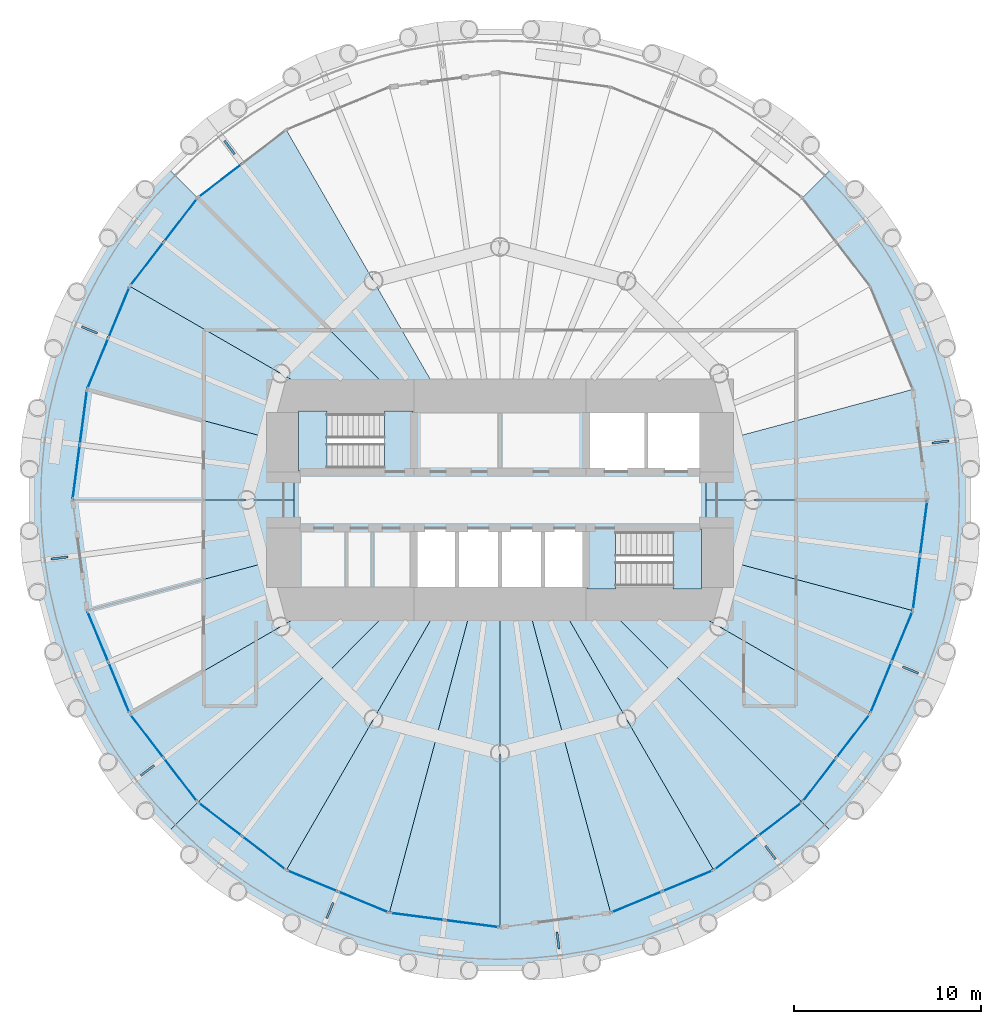
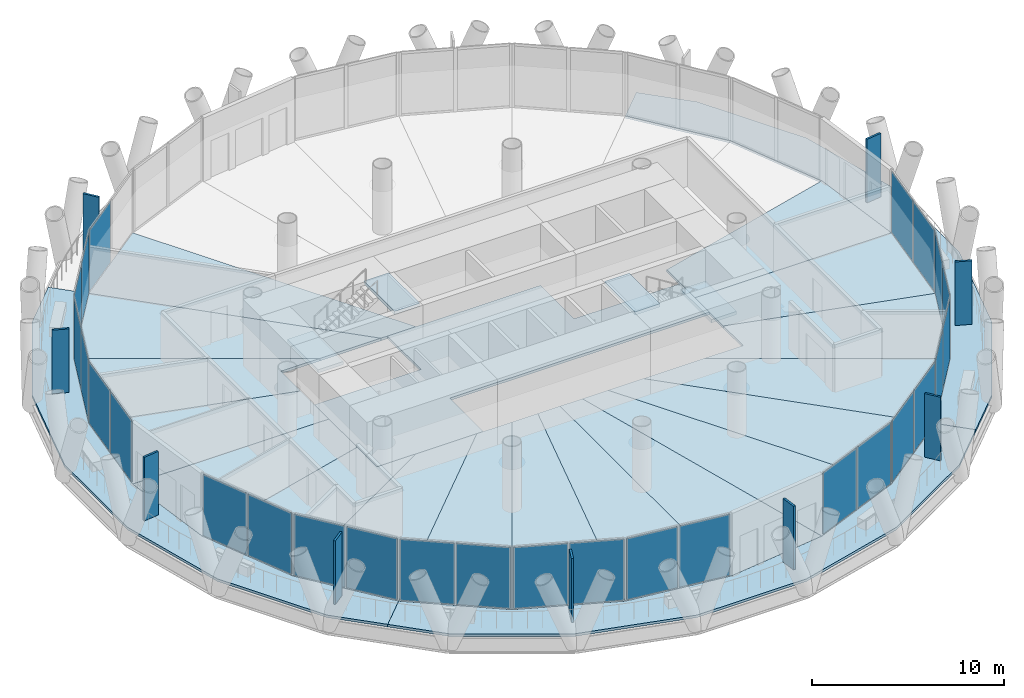
# One storey, part 7 of 14: 36 plates, 25 slabs, 16 elements without a shape of their own.
"""IFC4 building model written with IfcOpenShell, lengths in metres."""

import ifcopenshell
import ifcopenshell.guid

model = None  # the IFC model being written
_history = None  # IfcOwnerHistory: only IFC2X3 demands one
_inside = {}  # id of a spatial element -> (the spatial element, [elements in it])
_under = {}  # id of a project, library or spatial element -> (it, [spatial elements below it])
_declared = {}  # id of a project -> (the project, [libraries it declares])
_typed = {}  # id of a type object -> (the type object, [elements of that type])
_made_of = {}  # id of a material, layer set ... -> (it, [elements and type objects made of it])


def new_model(schema):
    """Start an empty IFC model of exactly this schema.

    Asked for "IFC4X3", IfcOpenShell would pick the latest addendum, in which some entities
    have other attributes; the version numbers below select the first issue.
    IFC2X3 requires an IfcOwnerHistory on every rooted entity: one is made here for all.
    """
    global model, _history
    if schema == "IFC4X3":
        model = ifcopenshell.file(schema_version=(4, 3, 0, 0))
    else:
        model = ifcopenshell.file(schema=schema)
    _inside.clear()
    _under.clear()
    _declared.clear()
    _typed.clear()
    _made_of.clear()
    _history = None
    if model.schema == "IFC2X3":
        org = make("IfcOrganization", Name="unknown")
        user = make(
            "IfcPersonAndOrganization",
            ThePerson=make("IfcPerson", FamilyName="unknown"),
            TheOrganization=org,
        )
        app = make(
            "IfcApplication",
            ApplicationDeveloper=org,
            Version="unknown",
            ApplicationFullName="unknown",
            ApplicationIdentifier="unknown",
        )
        _history = make(
            "IfcOwnerHistory",
            OwningUser=user,
            OwningApplication=app,
            ChangeAction="ADDED",
            CreationDate=0,
        )
    return model


def make(cls, **values):
    """One entity of the class cls with the attributes given. An attribute that is None is left unset."""
    return model.create_entity(
        cls, **{name: value for name, value in values.items() if value is not None}
    )


def rooted(cls, **values):
    """An entity with a GlobalId (a new one), such as an element, a storey or a relation."""
    return make(cls, GlobalId=ifcopenshell.guid.new(), OwnerHistory=_history, **values)


def si_unit(unit_type, name, prefix=None):
    """IfcSIUnit, for example si_unit("LENGTHUNIT", "METRE", prefix="MILLI")."""
    return make("IfcSIUnit", UnitType=unit_type, Prefix=prefix, Name=name)


def assignment(units):
    """IfcUnitAssignment: the units of a project."""
    return None if units is None else make("IfcUnitAssignment", Units=units)


def point(xyz):
    """IfcCartesianPoint."""
    return None if xyz is None else make("IfcCartesianPoint", Coordinates=xyz)


def direction(xyz):
    """IfcDirection."""
    return None if xyz is None else make("IfcDirection", DirectionRatios=xyz)


def frame(location, z_axis=None, x_axis=None):
    """IfcAxis2Placement3D, a coordinate frame: its origin and axes. An axis left out is left unset."""
    return make(
        "IfcAxis2Placement3D",
        Location=point(location),
        Axis=direction(z_axis),
        RefDirection=direction(x_axis),
    )


def frame_2d(location, x_axis=None):
    """IfcAxis2Placement2D, a coordinate frame in the plane: its origin and x axis."""
    return make(
        "IfcAxis2Placement2D", Location=point(location), RefDirection=direction(x_axis)
    )


def origin():
    """The frame at (0, 0, 0) with its axes left unset."""
    return frame((0.0, 0.0, 0.0))


def origin_2d():
    """The frame at (0, 0) in the plane with its x axis left unset."""
    return frame_2d((0.0, 0.0))


def place(relative_to, where):
    """IfcLocalPlacement: puts the frame where relative to a parent placement (None: the world)."""
    return make(
        "IfcLocalPlacement", PlacementRelTo=relative_to, RelativePlacement=where
    )


def context(
    kind, dimensions, precision=None, world=None, true_north=None, identifier=None
):
    """IfcGeometricRepresentationContext, for example the 3D "Model" context."""
    return make(
        "IfcGeometricRepresentationContext",
        ContextIdentifier=identifier,
        ContextType=kind,
        CoordinateSpaceDimension=dimensions,
        Precision=precision,
        WorldCoordinateSystem=world,
        TrueNorth=true_north,
    )


def subcontext(parent, identifier, kind, view, scale=None):
    """IfcGeometricRepresentationSubContext, for example "Body" below "Model"."""
    return make(
        "IfcGeometricRepresentationSubContext",
        ContextIdentifier=identifier,
        ContextType=kind,
        ParentContext=parent,
        TargetScale=scale,
        TargetView=view,
    )


def project(units=None, contexts=None):
    """IfcProject with its units and contexts."""
    return rooted(
        "IfcProject",
        Name="project",
        RepresentationContexts=contexts,
        UnitsInContext=assignment(units),
    )


def spatial(cls, under=None, at=None, **own):
    """A site, building, storey or space (cls), placed at a placement, below another one or the project."""
    s = rooted(cls, ObjectPlacement=at, **own)
    if under is not None:
        _under.setdefault(under.id(), (under, []))[1].append(s)
    return s


def polyline(points):
    """IfcPolyline through the points."""
    return make("IfcPolyline", Points=[point(p) for p in points])


def profile(cls, at=None, kind="AREA", **sizes):
    """A parametric profile (cls). Its sizes go by their IFC names, for example OverallWidth=200.0."""
    return make(cls, ProfileType=kind, Position=at, **sizes)


def rectangle(**sizes):
    """IfcRectangleProfileDef."""
    return profile("IfcRectangleProfileDef", **sizes)


def outline(outer, holes=None, kind="AREA"):
    """IfcArbitraryClosedProfileDef: a profile drawn as a closed curve; with holes, ...WithVoids."""
    if holes is None:
        return make("IfcArbitraryClosedProfileDef", ProfileType=kind, OuterCurve=outer)
    return make(
        "IfcArbitraryProfileDefWithVoids",
        ProfileType=kind,
        OuterCurve=outer,
        InnerCurves=holes,
    )


def extrude(swept, where, along, depth):
    """IfcExtrudedAreaSolid: the profile swept, set in the frame where, extruded along a direction by depth."""
    return make(
        "IfcExtrudedAreaSolid",
        SweptArea=swept,
        Position=where,
        ExtrudedDirection=direction(along),
        Depth=depth,
    )


def shape(context_of_items, identifier, shape_type, items):
    """IfcShapeRepresentation: the items that make up one representation, for example the "Body"."""
    return make(
        "IfcShapeRepresentation",
        ContextOfItems=context_of_items,
        RepresentationIdentifier=identifier,
        RepresentationType=shape_type,
        Items=items,
    )


def material(Name=None, Category=None):
    """IfcMaterial."""
    return make("IfcMaterial", Name=Name, Category=Category)


def layer(
    of_material, thickness, ventilated=None, Name=None, Category=None, Priority=None
):
    """IfcMaterialLayer: one layer of a wall or slab, of a material (None: an air gap)."""
    return make(
        "IfcMaterialLayer",
        Material=of_material,
        LayerThickness=thickness,
        IsVentilated=ventilated,
        Name=Name,
        Category=Category,
        Priority=Priority,
    )


def layer_set(layers, Name=None):
    """IfcMaterialLayerSet."""
    return make("IfcMaterialLayerSet", MaterialLayers=layers, LayerSetName=Name)


def made_of(thing, what):
    """Note that an element or type object is made of a material, layer set ...; save() writes the relation."""
    if what is not None:
        _made_of.setdefault(what.id(), (what, []))[1].append(thing)
    return thing


def type_object(cls, material=None, **own):
    """A type object (cls), such as IfcWallType, which elements share."""
    return made_of(rooted(cls, **own), material)


def element(
    cls,
    number,
    at=None,
    inside=None,
    cuts=None,
    type_object=None,
    material=None,
    context=None,
    identifier="Body",
    shape_type=None,
    held_by="IfcProductDefinitionShape",
    body=None,
    shapes=None,
    **own,
):
    """One element of the class cls, such as IfcWall. Its Tag is "e" and its number.

    at: its placement. inside: the storey or other place that contains it. cuts: it is an
    opening in that element (IfcRelVoidsElement). A single representation is given by context,
    identifier, shape_type and body (its items); several are given by shapes. held_by: the class
    of the entity that holds the representations. save() writes the other relations.
    """
    e = rooted(cls, Tag="e%d" % number, ObjectPlacement=at, **own)
    if body is not None:
        shapes = [shape(context, identifier, shape_type, body)]
    if shapes is not None:
        e.Representation = make(held_by, Representations=shapes)
    if inside is not None:
        _inside.setdefault(inside.id(), (inside, []))[1].append(e)
    if cuts is not None:
        rooted(
            "IfcRelVoidsElement", RelatingBuildingElement=cuts, RelatedOpeningElement=e
        )
    if type_object is not None:
        _typed.setdefault(type_object.id(), (type_object, []))[1].append(e)
    return made_of(e, material)


def aggregate(whole, parts):
    """IfcRelAggregates: a whole, such as a stair, and the parts it consists of."""
    return rooted("IfcRelAggregates", RelatingObject=whole, RelatedObjects=parts)


def save(model, path):
    """Write the relations noted so far, then the file.

    IfcRelAggregates (storeys below a building ...), IfcRelContainedInSpatialStructure (elements
    in a storey), IfcRelDefinesByType, IfcRelAssociatesMaterial and IfcRelDeclares: one each for
    every whole, place, type object, material and project.
    """
    for whole, parts in _under.values():
        aggregate(whole, parts)
    for where, things in _inside.values():
        rooted(
            "IfcRelContainedInSpatialStructure",
            RelatedElements=things,
            RelatingStructure=where,
        )
    for kind, things in _typed.values():
        rooted("IfcRelDefinesByType", RelatedObjects=things, RelatingType=kind)
    for what, things in _made_of.values():
        rooted("IfcRelAssociatesMaterial", RelatedObjects=things, RelatingMaterial=what)
    for by, libraries in _declared.values():
        rooted("IfcRelDeclares", RelatingContext=by, RelatedDefinitions=libraries)
    model.write(path)


model = new_model("IFC4")

# Units and contexts
model_context = context("Model", 3, precision=1e-05, world=origin(), true_north=direction((0.0, 1.0)))
body_context = subcontext(model_context, "Body", "Model", "MODEL_VIEW")
ifc_project = project(units=[si_unit("LENGTHUNIT", "METRE"), si_unit("AREAUNIT", "SQUARE_METRE"), si_unit("VOLUMEUNIT", "CUBIC_METRE"), si_unit("PLANEANGLEUNIT", "RADIAN"), si_unit("MASSUNIT", "GRAM", prefix="KILO")], contexts=[model_context])

# Site, building, storey
site_placement = place(None, origin())
site = spatial("IfcSite", under=ifc_project, at=site_placement, CompositionType="ELEMENT")
building_placement = place(site_placement, origin())
building = spatial("IfcBuilding", under=site, at=building_placement, Name="Qaws Media Tower", CompositionType="ELEMENT")
storey_placement = place(building_placement, frame((0.0, 0.0, 118.39990234375)))
storey = spatial("IfcBuildingStorey", under=building, at=storey_placement, Name="L26", CompositionType="ELEMENT", Elevation=118.39990234375)

# Slabs
ifc_material_1 = material(Name="Concrete C35/45", Category="concrete")
ifc_layer_1 = layer(ifc_material_1, 0.159912109375)
ifc_layer_set_1 = layer_set([ifc_layer_1], Name="Composite balcony slab 160")
slab_type_1 = type_object("IfcSlabType", Name="Composite balcony slab 160", PredefinedType="FLOOR", material=ifc_layer_set_1)
slab_1_placement = place(storey_placement, frame((0.0, 0.0, -0.159912109375)))
element("IfcSlab", 1, at=slab_1_placement, inside=storey, type_object=slab_type_1, Name="S2 balcony slab L26 R10 to R16, movement joints on R10 and R16", PredefinedType="FLOOR", context=body_context, shape_type="SweptSolid", body=[
    extrude(outline(polyline([(40.007568359375, 34.6591796875), (36.71826171875, 40.3564453125), (35.015625, 46.710693359375), (35.015625, 53.289306640625), (36.71826171875, 59.6435546875), (40.007568359375, 65.3408203125), (42.33349609375, 67.66650390625), (43.8779296875, 66.1220703125), (40.254638671875, 61.39990234375), (37.976806640625, 55.901123046875), (37.199951171875, 50.0), (37.976806640625, 44.098876953125), (40.254638671875, 38.60009765625), (43.8779296875, 33.8779296875), (42.33349609375, 32.33349609375), (40.007568359375, 34.6591796875)])), origin(), (0.0, 0.0, 1.0), 0.159912109375),
])
slab_2_placement = place(storey_placement, frame((0.0, 0.0, -0.159912109375)))
element("IfcSlab", 2, at=slab_2_placement, inside=storey, type_object=slab_type_1, Name="S2 balcony slab L26 R16 to R22, movement joints on R16 and R22", PredefinedType="FLOOR", context=body_context, shape_type="SweptSolid", body=[
    extrude(outline(polyline([(75.3408203125, 30.007568359375), (69.6435546875, 26.71826171875), (63.289306640625, 25.015625), (56.710693359375, 25.015625), (50.3564453125, 26.71826171875), (44.6591796875, 30.007568359375), (42.33349609375, 32.33349609375), (43.8779296875, 33.8779296875), (48.60009765625, 30.254638671875), (54.098876953125, 27.976806640625), (60.0, 27.199951171875), (65.901123046875, 27.976806640625), (71.39990234375, 30.254638671875), (76.1220703125, 33.8779296875), (77.66650390625, 32.33349609375), (75.3408203125, 30.007568359375)])), origin(), (0.0, 0.0, 1.0), 0.159912109375),
])
slab_3_placement = place(storey_placement, frame((0.0, 0.0, -0.159912109375)))
element("IfcSlab", 3, at=slab_3_placement, inside=storey, type_object=slab_type_1, Name="S2 balcony slab L26 R22 to R04, movement joints on R22 and R04", PredefinedType="FLOOR", context=body_context, shape_type="SweptSolid", body=[
    extrude(outline(polyline([(83.28173828125, 40.3564453125), (79.992431640625, 34.6591796875), (77.66650390625, 32.33349609375), (76.1220703125, 33.8779296875), (79.745361328125, 38.60009765625), (82.023193359375, 44.098876953125), (82.800048828125, 50.0), (82.023193359375, 55.901123046875), (79.745361328125, 61.39990234375), (76.1220703125, 66.1220703125), (77.66650390625, 67.66650390625), (79.992431640625, 65.3408203125), (83.28173828125, 59.6435546875), (84.984375, 53.289306640625), (84.984375, 46.710693359375), (83.28173828125, 40.3564453125)])), origin(), (0.0, 0.0, 1.0), 0.159912109375),
])
ifc_material_2 = material(Name="Concrete C35/45", Category="concrete")
ifc_layer_2 = layer(ifc_material_2, 0.159912109375)
ifc_layer_set_2 = layer_set([ifc_layer_2], Name="Composite floor slab 160")
slab_type_2 = type_object("IfcSlabType", Name="Composite floor slab 160", PredefinedType="FLOOR", material=ifc_layer_set_2)
slab_4_placement = place(storey_placement, frame((0.0, 0.0, -0.159912109375)))
element("IfcSlab", 4, at=slab_4_placement, inside=storey, type_object=slab_type_2, Name="S1 core floor slab L26", PredefinedType="FLOOR", context=body_context, shape_type="SweptSolid", body=[
    extrude(outline(polyline([(71.0, 51.5), (71.0, 48.5), (55.39990234375, 48.5), (55.39990234375, 45.0), (49.0, 45.0), (49.0, 51.5), (55.39990234375, 51.5), (55.39990234375, 55.0), (64.60009765625, 55.0), (64.60009765625, 51.5), (71.0, 51.5)])), origin(), (0.0, 0.0, 1.0), 0.159912109375),
])
slab_5_placement = place(storey_placement, frame((0.0, 0.0, -0.159912109375)))
element("IfcSlab", 5, at=slab_5_placement, inside=storey, type_object=slab_type_2, Name="S1 floor panel L26 on R01+7.5", PredefinedType="FLOOR", context=body_context, shape_type="SweptSolid", body=[
    extrude(outline(polyline([(82.023193359375, 55.901123046875), (82.800048828125, 50.0), (71.0, 50.0), (71.0, 52.947509765625), (82.023193359375, 55.901123046875)])), origin(), (0.0, 0.0, 1.0), 0.159912109375),
])
slab_6_placement = place(storey_placement, frame((0.0, 0.0, -0.159912109375)))
element("IfcSlab", 6, at=slab_6_placement, inside=storey, type_object=slab_type_2, Name="S1 floor panel L26 on R09+7.5", PredefinedType="FLOOR", context=body_context, shape_type="SweptSolid", body=[
    extrude(outline(polyline([(43.8779296875, 66.1220703125), (48.60009765625, 69.745361328125), (57.11328125, 55.0), (55.0, 55.0), (43.8779296875, 66.1220703125)])), origin(), (0.0, 0.0, 1.0), 0.159912109375),
])
slab_7_placement = place(storey_placement, frame((0.0, 0.0, -0.159912109375)))
element("IfcSlab", 7, at=slab_7_placement, inside=storey, type_object=slab_type_2, Name="S1 floor panel L26 on R10+7.5", PredefinedType="FLOOR", context=body_context, shape_type="SweptSolid", body=[
    extrude(outline(polyline([(40.254638671875, 61.39990234375), (43.8779296875, 66.1220703125), (55.0, 55.0), (51.339599609375, 55.0), (40.254638671875, 61.39990234375)])), origin(), (0.0, 0.0, 1.0), 0.159912109375),
])
slab_8_placement = place(storey_placement, frame((0.0, 0.0, -0.159912109375)))
element("IfcSlab", 8, at=slab_8_placement, inside=storey, type_object=slab_type_2, Name="S1 floor panel L26 on R11+7.5", PredefinedType="FLOOR", context=body_context, shape_type="SweptSolid", body=[
    extrude(outline(polyline([(40.254638671875, 61.39990234375), (51.339599609375, 55.0), (49.0, 55.0), (49.0, 52.947509765625), (37.976806640625, 55.901123046875), (40.254638671875, 61.39990234375)])), origin(), (0.0, 0.0, 1.0), 0.159912109375),
])
slab_9_placement = place(storey_placement, frame((0.0, 0.0, -0.159912109375)))
element("IfcSlab", 9, at=slab_9_placement, inside=storey, type_object=slab_type_2, Name="S1 floor panel L26 on R12+7.5", PredefinedType="FLOOR", context=body_context, shape_type="SweptSolid", body=[
    extrude(outline(polyline([(37.976806640625, 55.901123046875), (49.0, 52.947509765625), (49.0, 50.0), (37.199951171875, 50.0), (37.976806640625, 55.901123046875)])), origin(), (0.0, 0.0, 1.0), 0.159912109375),
])
slab_10_placement = place(storey_placement, frame((0.0, 0.0, -0.159912109375)))
element("IfcSlab", 10, at=slab_10_placement, inside=storey, type_object=slab_type_2, Name="S1 floor panel L26 on R13+7.5", PredefinedType="FLOOR", context=body_context, shape_type="SweptSolid", body=[
    extrude(outline(polyline([(37.976806640625, 44.098876953125), (37.199951171875, 50.0), (49.0, 50.0), (49.0, 47.052490234375), (37.976806640625, 44.098876953125)])), origin(), (0.0, 0.0, 1.0), 0.159912109375),
])
slab_11_placement = place(storey_placement, frame((0.0, 0.0, -0.159912109375)))
element("IfcSlab", 11, at=slab_11_placement, inside=storey, type_object=slab_type_2, Name="S1 floor panel L26 on R14+7.5", PredefinedType="FLOOR", context=body_context, shape_type="SweptSolid", body=[
    extrude(outline(polyline([(37.976806640625, 44.098876953125), (49.0, 47.052490234375), (49.0, 45.0), (51.339599609375, 45.0), (40.254638671875, 38.60009765625), (37.976806640625, 44.098876953125)])), origin(), (0.0, 0.0, 1.0), 0.159912109375),
])
slab_12_placement = place(storey_placement, frame((0.0, 0.0, -0.159912109375)))
element("IfcSlab", 12, at=slab_12_placement, inside=storey, type_object=slab_type_2, Name="S1 floor panel L26 on R15+7.5", PredefinedType="FLOOR", context=body_context, shape_type="SweptSolid", body=[
    extrude(outline(polyline([(40.254638671875, 38.60009765625), (51.339599609375, 45.0), (55.0, 45.0), (43.8779296875, 33.8779296875), (40.254638671875, 38.60009765625)])), origin(), (0.0, 0.0, 1.0), 0.159912109375),
])
slab_13_placement = place(storey_placement, frame((0.0, 0.0, -0.159912109375)))
element("IfcSlab", 13, at=slab_13_placement, inside=storey, type_object=slab_type_2, Name="S1 floor panel L26 on R16+7.5", PredefinedType="FLOOR", context=body_context, shape_type="SweptSolid", body=[
    extrude(outline(polyline([(48.60009765625, 30.254638671875), (43.8779296875, 33.8779296875), (55.0, 45.0), (57.11328125, 45.0), (48.60009765625, 30.254638671875)])), origin(), (0.0, 0.0, 1.0), 0.159912109375),
])
slab_14_placement = place(storey_placement, frame((0.0, 0.0, -0.159912109375)))
element("IfcSlab", 14, at=slab_14_placement, inside=storey, type_object=slab_type_2, Name="S1 floor panel L26 on R17+7.5", PredefinedType="FLOOR", context=body_context, shape_type="SweptSolid", body=[
    extrude(outline(polyline([(48.60009765625, 30.254638671875), (57.11328125, 45.0), (58.660400390625, 45.0), (54.098876953125, 27.976806640625), (48.60009765625, 30.254638671875)])), origin(), (0.0, 0.0, 1.0), 0.159912109375),
])
slab_15_placement = place(storey_placement, frame((0.0, 0.0, -0.159912109375)))
element("IfcSlab", 15, at=slab_15_placement, inside=storey, type_object=slab_type_2, Name="S1 floor panel L26 on R18+7.5", PredefinedType="FLOOR", context=body_context, shape_type="SweptSolid", body=[
    extrude(outline(polyline([(54.098876953125, 27.976806640625), (58.660400390625, 45.0), (60.0, 45.0), (60.0, 27.199951171875), (54.098876953125, 27.976806640625)])), origin(), (0.0, 0.0, 1.0), 0.159912109375),
])
slab_16_placement = place(storey_placement, frame((0.0, 0.0, -0.159912109375)))
element("IfcSlab", 16, at=slab_16_placement, inside=storey, type_object=slab_type_2, Name="S1 floor panel L26 on R19+7.5", PredefinedType="FLOOR", context=body_context, shape_type="SweptSolid", body=[
    extrude(outline(polyline([(65.901123046875, 27.976806640625), (60.0, 27.199951171875), (60.0, 45.0), (61.339599609375, 45.0), (65.901123046875, 27.976806640625)])), origin(), (0.0, 0.0, 1.0), 0.159912109375),
])
slab_17_placement = place(storey_placement, frame((0.0, 0.0, -0.159912109375)))
element("IfcSlab", 17, at=slab_17_placement, inside=storey, type_object=slab_type_2, Name="S1 floor panel L26 on R20+7.5", PredefinedType="FLOOR", context=body_context, shape_type="SweptSolid", body=[
    extrude(outline(polyline([(65.901123046875, 27.976806640625), (61.339599609375, 45.0), (62.88671875, 45.0), (71.39990234375, 30.254638671875), (65.901123046875, 27.976806640625)])), origin(), (0.0, 0.0, 1.0), 0.159912109375),
])
slab_18_placement = place(storey_placement, frame((0.0, 0.0, -0.159912109375)))
element("IfcSlab", 18, at=slab_18_placement, inside=storey, type_object=slab_type_2, Name="S1 floor panel L26 on R21+7.5", PredefinedType="FLOOR", context=body_context, shape_type="SweptSolid", body=[
    extrude(outline(polyline([(76.1220703125, 33.8779296875), (71.39990234375, 30.254638671875), (62.88671875, 45.0), (65.0, 45.0), (76.1220703125, 33.8779296875)])), origin(), (0.0, 0.0, 1.0), 0.159912109375),
])
slab_19_placement = place(storey_placement, frame((0.0, 0.0, -0.159912109375)))
element("IfcSlab", 19, at=slab_19_placement, inside=storey, type_object=slab_type_2, Name="S1 floor panel L26 on R22+7.5", PredefinedType="FLOOR", context=body_context, shape_type="SweptSolid", body=[
    extrude(outline(polyline([(79.745361328125, 38.60009765625), (76.1220703125, 33.8779296875), (65.0, 45.0), (68.660400390625, 45.0), (79.745361328125, 38.60009765625)])), origin(), (0.0, 0.0, 1.0), 0.159912109375),
])
slab_20_placement = place(storey_placement, frame((0.0, 0.0, -0.159912109375)))
element("IfcSlab", 20, at=slab_20_placement, inside=storey, type_object=slab_type_2, Name="S1 floor panel L26 on R23+7.5", PredefinedType="FLOOR", context=body_context, shape_type="SweptSolid", body=[
    extrude(outline(polyline([(79.745361328125, 38.60009765625), (68.660400390625, 45.0), (71.0, 45.0), (71.0, 47.052490234375), (82.023193359375, 44.098876953125), (79.745361328125, 38.60009765625)])), origin(), (0.0, 0.0, 1.0), 0.159912109375),
])
slab_21_placement = place(storey_placement, frame((0.0, 0.0, -0.159912109375)))
element("IfcSlab", 21, at=slab_21_placement, inside=storey, type_object=slab_type_2, Name="S1 floor panel L26 on R24+7.5", PredefinedType="FLOOR", context=body_context, shape_type="SweptSolid", body=[
    extrude(outline(polyline([(82.023193359375, 44.098876953125), (71.0, 47.052490234375), (71.0, 50.0), (82.800048828125, 50.0), (82.023193359375, 44.098876953125)])), origin(), (0.0, 0.0, 1.0), 0.159912109375),
])

# Curtain wall, plate
ifc_material_3 = material(Name="Aluminium and clear glass", Category="aluminium")
curtain_wall_type = type_object("IfcCurtainWallType", Name="Unitised curtain wall CW-B", PredefinedType="NOTDEFINED", material=ifc_material_3)
curtain_wall_1_placement = place(storey_placement, origin())
curtain_wall_1 = element("IfcCurtainWall", 22, at=curtain_wall_1_placement, inside=storey, type_object=curtain_wall_type, Name="CWB curtain wall L26-09", PredefinedType="NOTDEFINED")
ifc_material_4 = material(Name="Clear laminated double glazing", Category="glass")
ifc_layer_3 = layer(ifc_material_4, 0.031982421875)
ifc_layer_set_3 = layer_set([ifc_layer_3], Name="Curtain wall glass unit 32")
plate_type_1 = type_object("IfcPlateType", Name="Curtain wall glass unit 32", PredefinedType="CURTAIN_PANEL", material=ifc_layer_set_3)
plate_1_placement = place(storey_placement, frame((45.07421875, 67.0400390625, 0.080078125), z_axis=(0.0, 0.0, 1.0), x_axis=(-0.793353412806, -0.608761334505, 0.0)))
plate_1 = element("IfcPlate", 23, at=plate_1_placement, type_object=plate_type_1, Name="CWB panel 2.1", PredefinedType="CURTAIN_PANEL", context=body_context, shape_type="SweptSolid", body=[
    extrude(rectangle(XDim=2.85595703125, YDim=0.031982421875, at=origin_2d()), origin(), (0.0, 0.0, 1.0), 3.8798828125),
])
aggregate(curtain_wall_1, [plate_1])

# Curtain wall, plates
curtain_wall_2_placement = place(storey_placement, origin())
curtain_wall_2 = element("IfcCurtainWall", 24, at=curtain_wall_2_placement, inside=storey, type_object=curtain_wall_type, Name="CWB curtain wall L26-10", PredefinedType="NOTDEFINED")
plate_2_placement = place(storey_placement, frame((42.9599609375, 64.92578125, 0.080078125), z_axis=(0.0, 0.0, 1.0), x_axis=(-0.608761334505, -0.793353412806, 0.0)))
plate_2 = element("IfcPlate", 25, at=plate_2_placement, type_object=plate_type_1, Name="CWB panel 1.1", PredefinedType="CURTAIN_PANEL", context=body_context, shape_type="SweptSolid", body=[
    extrude(rectangle(XDim=2.85595703125, YDim=0.031982421875, at=origin_2d()), origin(), (0.0, 0.0, 1.0), 3.8798828125),
])
plate_3_placement = place(storey_placement, frame((41.172607421875, 62.596435546875, 0.080078125), z_axis=(0.0, 0.0, 1.0), x_axis=(-0.608761334505, -0.793353412806, 0.0)))
plate_3 = element("IfcPlate", 26, at=plate_3_placement, type_object=plate_type_1, Name="CWB panel 2.1", PredefinedType="CURTAIN_PANEL", context=body_context, shape_type="SweptSolid", body=[
    extrude(rectangle(XDim=2.85595703125, YDim=0.031982421875, at=origin_2d()), origin(), (0.0, 0.0, 1.0), 3.8798828125),
])
aggregate(curtain_wall_2, [plate_2, plate_3])

curtain_wall_3_placement = place(storey_placement, origin())
curtain_wall_3 = element("IfcCurtainWall", 27, at=curtain_wall_3_placement, inside=storey, type_object=curtain_wall_type, Name="CWB curtain wall L26-11", PredefinedType="NOTDEFINED")
plate_4_placement = place(storey_placement, frame((39.677490234375, 60.0068359375, 0.080078125), z_axis=(0.0, 0.0, 1.0), x_axis=(-0.382683471419, -0.923879516335, 0.0)))
plate_4 = element("IfcPlate", 28, at=plate_4_placement, type_object=plate_type_1, Name="CWB panel 1.1", PredefinedType="CURTAIN_PANEL", context=body_context, shape_type="SweptSolid", body=[
    extrude(rectangle(XDim=2.85595703125, YDim=0.031982421875, at=origin_2d()), origin(), (0.0, 0.0, 1.0), 3.8798828125),
])
plate_5_placement = place(storey_placement, frame((38.553955078125, 57.294189453125, 0.080078125), z_axis=(0.0, 0.0, 1.0), x_axis=(-0.382683471419, -0.923879516335, 0.0)))
plate_5 = element("IfcPlate", 29, at=plate_5_placement, type_object=plate_type_1, Name="CWB panel 2.1", PredefinedType="CURTAIN_PANEL", context=body_context, shape_type="SweptSolid", body=[
    extrude(rectangle(XDim=2.85595703125, YDim=0.031982421875, at=origin_2d()), origin(), (0.0, 0.0, 1.0), 3.8798828125),
])
aggregate(curtain_wall_3, [plate_4, plate_5])

curtain_wall_4_placement = place(storey_placement, origin())
curtain_wall_4 = element("IfcCurtainWall", 30, at=curtain_wall_4_placement, inside=storey, type_object=curtain_wall_type, Name="CWB curtain wall L26-12", PredefinedType="NOTDEFINED")
plate_6_placement = place(storey_placement, frame((37.780029296875, 54.406005859375, 0.080078125), z_axis=(0.0, 0.0, 1.0), x_axis=(-0.130526170659, -0.991444864212, 0.0)))
plate_6 = element("IfcPlate", 31, at=plate_6_placement, type_object=plate_type_1, Name="CWB panel 1.1", PredefinedType="CURTAIN_PANEL", context=body_context, shape_type="SweptSolid", body=[
    extrude(rectangle(XDim=2.85595703125, YDim=0.031982421875, at=origin_2d()), origin(), (0.0, 0.0, 1.0), 3.8798828125),
])
plate_7_placement = place(storey_placement, frame((37.396728515625, 51.4951171875, 0.080078125), z_axis=(0.0, 0.0, 1.0), x_axis=(-0.130526170659, -0.991444864212, 0.0)))
plate_7 = element("IfcPlate", 32, at=plate_7_placement, type_object=plate_type_1, Name="CWB panel 2.1", PredefinedType="CURTAIN_PANEL", context=body_context, shape_type="SweptSolid", body=[
    extrude(rectangle(XDim=2.85595703125, YDim=0.031982421875, at=origin_2d()), origin(), (0.0, 0.0, 1.0), 3.8798828125),
])
aggregate(curtain_wall_4, [plate_6, plate_7])

curtain_wall_5_placement = place(storey_placement, origin())
curtain_wall_5 = element("IfcCurtainWall", 33, at=curtain_wall_5_placement, inside=storey, type_object=curtain_wall_type, Name="CWB curtain wall L26-14", PredefinedType="NOTDEFINED")
plate_8_placement = place(storey_placement, frame((38.553955078125, 42.705810546875, 0.080078125), z_axis=(0.0, 0.0, 1.0), x_axis=(0.382683471419, -0.923879516335, 0.0)))
plate_8 = element("IfcPlate", 34, at=plate_8_placement, type_object=plate_type_1, Name="CWB panel 1.1", PredefinedType="CURTAIN_PANEL", context=body_context, shape_type="SweptSolid", body=[
    extrude(rectangle(XDim=2.85595703125, YDim=0.031982421875, at=origin_2d()), origin(), (0.0, 0.0, 1.0), 3.8798828125),
])
plate_9_placement = place(storey_placement, frame((39.677490234375, 39.9931640625, 0.080078125), z_axis=(0.0, 0.0, 1.0), x_axis=(0.382683471419, -0.923879516335, 0.0)))
plate_9 = element("IfcPlate", 35, at=plate_9_placement, type_object=plate_type_1, Name="CWB panel 2.1", PredefinedType="CURTAIN_PANEL", context=body_context, shape_type="SweptSolid", body=[
    extrude(rectangle(XDim=2.85595703125, YDim=0.031982421875, at=origin_2d()), origin(), (0.0, 0.0, 1.0), 3.8798828125),
])
aggregate(curtain_wall_5, [plate_8, plate_9])

curtain_wall_6_placement = place(storey_placement, origin())
curtain_wall_6 = element("IfcCurtainWall", 36, at=curtain_wall_6_placement, inside=storey, type_object=curtain_wall_type, Name="CWB curtain wall L26-15", PredefinedType="NOTDEFINED")
plate_10_placement = place(storey_placement, frame((41.172607421875, 37.403564453125, 0.080078125), z_axis=(0.0, 0.0, 1.0), x_axis=(0.608761334505, -0.793353412806, 0.0)))
plate_10 = element("IfcPlate", 37, at=plate_10_placement, type_object=plate_type_1, Name="CWB panel 1.1", PredefinedType="CURTAIN_PANEL", context=body_context, shape_type="SweptSolid", body=[
    extrude(rectangle(XDim=2.85595703125, YDim=0.031982421875, at=origin_2d()), origin(), (0.0, 0.0, 1.0), 3.8798828125),
])
plate_11_placement = place(storey_placement, frame((42.9599609375, 35.07421875, 0.080078125), z_axis=(0.0, 0.0, 1.0), x_axis=(0.608761334505, -0.793353412806, 0.0)))
plate_11 = element("IfcPlate", 38, at=plate_11_placement, type_object=plate_type_1, Name="CWB panel 2.1", PredefinedType="CURTAIN_PANEL", context=body_context, shape_type="SweptSolid", body=[
    extrude(rectangle(XDim=2.85595703125, YDim=0.031982421875, at=origin_2d()), origin(), (0.0, 0.0, 1.0), 3.8798828125),
])
aggregate(curtain_wall_6, [plate_10, plate_11])

curtain_wall_7_placement = place(storey_placement, origin())
curtain_wall_7 = element("IfcCurtainWall", 39, at=curtain_wall_7_placement, inside=storey, type_object=curtain_wall_type, Name="CWB curtain wall L26-16", PredefinedType="NOTDEFINED")
plate_12_placement = place(storey_placement, frame((45.07421875, 32.9599609375, 0.080078125), z_axis=(0.0, 0.0, 1.0), x_axis=(0.793353412806, -0.608761334505, 0.0)))
plate_12 = element("IfcPlate", 40, at=plate_12_placement, type_object=plate_type_1, Name="CWB panel 1.1", PredefinedType="CURTAIN_PANEL", context=body_context, shape_type="SweptSolid", body=[
    extrude(rectangle(XDim=2.85595703125, YDim=0.031982421875, at=origin_2d()), origin(), (0.0, 0.0, 1.0), 3.8798828125),
])
plate_13_placement = place(storey_placement, frame((47.403564453125, 31.172607421875, 0.080078125), z_axis=(0.0, 0.0, 1.0), x_axis=(0.793353412806, -0.608761334505, 0.0)))
plate_13 = element("IfcPlate", 41, at=plate_13_placement, type_object=plate_type_1, Name="CWB panel 2.1", PredefinedType="CURTAIN_PANEL", context=body_context, shape_type="SweptSolid", body=[
    extrude(rectangle(XDim=2.85595703125, YDim=0.031982421875, at=origin_2d()), origin(), (0.0, 0.0, 1.0), 3.8798828125),
])
aggregate(curtain_wall_7, [plate_12, plate_13])

curtain_wall_8_placement = place(storey_placement, origin())
curtain_wall_8 = element("IfcCurtainWall", 42, at=curtain_wall_8_placement, inside=storey, type_object=curtain_wall_type, Name="CWB curtain wall L26-17", PredefinedType="NOTDEFINED")
plate_14_placement = place(storey_placement, frame((49.9931640625, 29.677490234375, 0.080078125), z_axis=(0.0, 0.0, 1.0), x_axis=(0.923879516335, -0.382683471419, 0.0)))
plate_14 = element("IfcPlate", 43, at=plate_14_placement, type_object=plate_type_1, Name="CWB panel 1.1", PredefinedType="CURTAIN_PANEL", context=body_context, shape_type="SweptSolid", body=[
    extrude(rectangle(XDim=2.85595703125, YDim=0.031982421875, at=origin_2d()), origin(), (0.0, 0.0, 1.0), 3.8798828125),
])
plate_15_placement = place(storey_placement, frame((52.705810546875, 28.553955078125, 0.080078125), z_axis=(0.0, 0.0, 1.0), x_axis=(0.923879516335, -0.382683471419, 0.0)))
plate_15 = element("IfcPlate", 44, at=plate_15_placement, type_object=plate_type_1, Name="CWB panel 2.1", PredefinedType="CURTAIN_PANEL", context=body_context, shape_type="SweptSolid", body=[
    extrude(rectangle(XDim=2.85595703125, YDim=0.031982421875, at=origin_2d()), origin(), (0.0, 0.0, 1.0), 3.8798828125),
])
aggregate(curtain_wall_8, [plate_14, plate_15])

curtain_wall_9_placement = place(storey_placement, origin())
curtain_wall_9 = element("IfcCurtainWall", 45, at=curtain_wall_9_placement, inside=storey, type_object=curtain_wall_type, Name="CWB curtain wall L26-18", PredefinedType="NOTDEFINED")
plate_16_placement = place(storey_placement, frame((55.593994140625, 27.780029296875, 0.080078125), z_axis=(0.0, 0.0, 1.0), x_axis=(0.991444864212, -0.130526170659, 0.0)))
plate_16 = element("IfcPlate", 46, at=plate_16_placement, type_object=plate_type_1, Name="CWB panel 1.1", PredefinedType="CURTAIN_PANEL", context=body_context, shape_type="SweptSolid", body=[
    extrude(rectangle(XDim=2.85595703125, YDim=0.031982421875, at=origin_2d()), origin(), (0.0, 0.0, 1.0), 3.8798828125),
])
plate_17_placement = place(storey_placement, frame((58.5048828125, 27.396728515625, 0.080078125), z_axis=(0.0, 0.0, 1.0), x_axis=(0.991444864212, -0.130526170659, 0.0)))
plate_17 = element("IfcPlate", 47, at=plate_17_placement, type_object=plate_type_1, Name="CWB panel 2.1", PredefinedType="CURTAIN_PANEL", context=body_context, shape_type="SweptSolid", body=[
    extrude(rectangle(XDim=2.85595703125, YDim=0.031982421875, at=origin_2d()), origin(), (0.0, 0.0, 1.0), 3.8798828125),
])
aggregate(curtain_wall_9, [plate_16, plate_17])

curtain_wall_10_placement = place(storey_placement, origin())
curtain_wall_10 = element("IfcCurtainWall", 48, at=curtain_wall_10_placement, inside=storey, type_object=curtain_wall_type, Name="CWB curtain wall L26-20", PredefinedType="NOTDEFINED")
plate_18_placement = place(storey_placement, frame((67.294189453125, 28.553955078125, 0.080078125), z_axis=(0.0, 0.0, 1.0), x_axis=(0.923879516335, 0.382683471419, 0.0)))
plate_18 = element("IfcPlate", 49, at=plate_18_placement, type_object=plate_type_1, Name="CWB panel 1.1", PredefinedType="CURTAIN_PANEL", context=body_context, shape_type="SweptSolid", body=[
    extrude(rectangle(XDim=2.85595703125, YDim=0.031982421875, at=origin_2d()), origin(), (0.0, 0.0, 1.0), 3.8798828125),
])
plate_19_placement = place(storey_placement, frame((70.0068359375, 29.677490234375, 0.080078125), z_axis=(0.0, 0.0, 1.0), x_axis=(0.923879516335, 0.382683471419, 0.0)))
plate_19 = element("IfcPlate", 50, at=plate_19_placement, type_object=plate_type_1, Name="CWB panel 2.1", PredefinedType="CURTAIN_PANEL", context=body_context, shape_type="SweptSolid", body=[
    extrude(rectangle(XDim=2.85595703125, YDim=0.031982421875, at=origin_2d()), origin(), (0.0, 0.0, 1.0), 3.8798828125),
])
aggregate(curtain_wall_10, [plate_18, plate_19])

curtain_wall_11_placement = place(storey_placement, origin())
curtain_wall_11 = element("IfcCurtainWall", 51, at=curtain_wall_11_placement, inside=storey, type_object=curtain_wall_type, Name="CWB curtain wall L26-21", PredefinedType="NOTDEFINED")
plate_20_placement = place(storey_placement, frame((72.596435546875, 31.172607421875, 0.080078125), z_axis=(0.0, 0.0, 1.0), x_axis=(0.793353412806, 0.608761334505, 0.0)))
plate_20 = element("IfcPlate", 52, at=plate_20_placement, type_object=plate_type_1, Name="CWB panel 1.1", PredefinedType="CURTAIN_PANEL", context=body_context, shape_type="SweptSolid", body=[
    extrude(rectangle(XDim=2.85595703125, YDim=0.031982421875, at=origin_2d()), origin(), (0.0, 0.0, 1.0), 3.8798828125),
])
plate_21_placement = place(storey_placement, frame((74.92578125, 32.9599609375, 0.080078125), z_axis=(0.0, 0.0, 1.0), x_axis=(0.793353412806, 0.608761334505, 0.0)))
plate_21 = element("IfcPlate", 53, at=plate_21_placement, type_object=plate_type_1, Name="CWB panel 2.1", PredefinedType="CURTAIN_PANEL", context=body_context, shape_type="SweptSolid", body=[
    extrude(rectangle(XDim=2.85595703125, YDim=0.031982421875, at=origin_2d()), origin(), (0.0, 0.0, 1.0), 3.8798828125),
])
aggregate(curtain_wall_11, [plate_20, plate_21])

curtain_wall_12_placement = place(storey_placement, origin())
curtain_wall_12 = element("IfcCurtainWall", 54, at=curtain_wall_12_placement, inside=storey, type_object=curtain_wall_type, Name="CWB curtain wall L26-22", PredefinedType="NOTDEFINED")
plate_22_placement = place(storey_placement, frame((77.0400390625, 35.07421875, 0.080078125), z_axis=(0.0, 0.0, 1.0), x_axis=(0.608761334505, 0.793353412806, 0.0)))
plate_22 = element("IfcPlate", 55, at=plate_22_placement, type_object=plate_type_1, Name="CWB panel 1.1", PredefinedType="CURTAIN_PANEL", context=body_context, shape_type="SweptSolid", body=[
    extrude(rectangle(XDim=2.85595703125, YDim=0.031982421875, at=origin_2d()), origin(), (0.0, 0.0, 1.0), 3.8798828125),
])
plate_23_placement = place(storey_placement, frame((78.827392578125, 37.403564453125, 0.080078125), z_axis=(0.0, 0.0, 1.0), x_axis=(0.608761334505, 0.793353412806, 0.0)))
plate_23 = element("IfcPlate", 56, at=plate_23_placement, type_object=plate_type_1, Name="CWB panel 2.1", PredefinedType="CURTAIN_PANEL", context=body_context, shape_type="SweptSolid", body=[
    extrude(rectangle(XDim=2.85595703125, YDim=0.031982421875, at=origin_2d()), origin(), (0.0, 0.0, 1.0), 3.8798828125),
])
aggregate(curtain_wall_12, [plate_22, plate_23])

curtain_wall_13_placement = place(storey_placement, origin())
curtain_wall_13 = element("IfcCurtainWall", 57, at=curtain_wall_13_placement, inside=storey, type_object=curtain_wall_type, Name="CWB curtain wall L26-23", PredefinedType="NOTDEFINED")
plate_24_placement = place(storey_placement, frame((80.322509765625, 39.9931640625, 0.080078125), z_axis=(0.0, 0.0, 1.0), x_axis=(0.382683471419, 0.923879516335, 0.0)))
plate_24 = element("IfcPlate", 58, at=plate_24_placement, type_object=plate_type_1, Name="CWB panel 1.1", PredefinedType="CURTAIN_PANEL", context=body_context, shape_type="SweptSolid", body=[
    extrude(rectangle(XDim=2.85595703125, YDim=0.031982421875, at=origin_2d()), origin(), (0.0, 0.0, 1.0), 3.8798828125),
])
plate_25_placement = place(storey_placement, frame((81.446044921875, 42.705810546875, 0.080078125), z_axis=(0.0, 0.0, 1.0), x_axis=(0.382683471419, 0.923879516335, 0.0)))
plate_25 = element("IfcPlate", 59, at=plate_25_placement, type_object=plate_type_1, Name="CWB panel 2.1", PredefinedType="CURTAIN_PANEL", context=body_context, shape_type="SweptSolid", body=[
    extrude(rectangle(XDim=2.85595703125, YDim=0.031982421875, at=origin_2d()), origin(), (0.0, 0.0, 1.0), 3.8798828125),
])
aggregate(curtain_wall_13, [plate_24, plate_25])

curtain_wall_14_placement = place(storey_placement, origin())
curtain_wall_14 = element("IfcCurtainWall", 60, at=curtain_wall_14_placement, inside=storey, type_object=curtain_wall_type, Name="CWB curtain wall L26-24", PredefinedType="NOTDEFINED")
plate_26_placement = place(storey_placement, frame((82.219970703125, 45.593994140625, 0.080078125), z_axis=(0.0, 0.0, 1.0), x_axis=(0.130526170659, 0.991444864212, 0.0)))
plate_26 = element("IfcPlate", 61, at=plate_26_placement, type_object=plate_type_1, Name="CWB panel 1.1", PredefinedType="CURTAIN_PANEL", context=body_context, shape_type="SweptSolid", body=[
    extrude(rectangle(XDim=2.85595703125, YDim=0.031982421875, at=origin_2d()), origin(), (0.0, 0.0, 1.0), 3.8798828125),
])
plate_27_placement = place(storey_placement, frame((82.603271484375, 48.5048828125, 0.080078125), z_axis=(0.0, 0.0, 1.0), x_axis=(0.130526170659, 0.991444864212, 0.0)))
plate_27 = element("IfcPlate", 62, at=plate_27_placement, type_object=plate_type_1, Name="CWB panel 2.1", PredefinedType="CURTAIN_PANEL", context=body_context, shape_type="SweptSolid", body=[
    extrude(rectangle(XDim=2.85595703125, YDim=0.031982421875, at=origin_2d()), origin(), (0.0, 0.0, 1.0), 3.8798828125),
])
aggregate(curtain_wall_14, [plate_26, plate_27])

# Plates
ifc_material_5 = material(Name="Precast concrete screen fin", Category="concrete")
ifc_layer_4 = layer(ifc_material_5, 0.1201171875)
ifc_layer_set_4 = layer_set([ifc_layer_4], Name="Screen fin 120x900")
plate_type_2 = type_object("IfcPlateType", Name="Screen fin 120x900", PredefinedType="USERDEFINED", material=ifc_layer_set_4)
for number, where, z_axis, x_axis, name in (
    (63, (83.497314453125, 53.093505859375, 0.0), (0.0, 0.0, 1.0), (0.991444861374, 0.13052619222, 0.0), "SCR1 screen fin L26-01"),
    (64, (45.572265625, 68.802490234375, 0.0), (0.0, 0.0, 1.0), (-0.608761429009, 0.793353340291, 0.0), "SCR1 screen fin L26-05"),
    (65, (38.10400390625, 59.069580078125, 0.0), (0.0, 0.0, 1.0), (-0.923879532511, 0.382683432365, 0.0), "SCR1 screen fin L26-06"),
    (66, (36.502685546875, 46.906494140625, 0.0), (0.0, 0.0, 1.0), (-0.991444861374, -0.13052619222, 0.0), "SCR1 screen fin L26-07"),
    (67, (41.197509765625, 35.572265625, 0.0), (0.0, 0.0, 1.0), (-0.793353340291, -0.608761429009, 0.0), "SCR1 screen fin L26-08"),
    (68, (50.930419921875, 28.10400390625, 0.0), (0.0, 0.0, 1.0), (-0.382683432365, -0.923879532511, 0.0), "SCR1 screen fin L26-09"),
    (69, (63.093505859375, 26.502685546875, 0.0), (0.0, 0.0, 1.0), (0.13052619222, -0.991444861374, 0.0), "SCR1 screen fin L26-10"),
    (70, (74.427734375, 31.197509765625, 0.0), (0.0, 0.0, 1.0), (0.608761429009, -0.793353340291, 0.0), "SCR1 screen fin L26-11"),
    (71, (81.89599609375, 40.930419921875, 0.0), (0.0, 0.0, 1.0), (0.923879532511, -0.382683432365, 0.0), "SCR1 screen fin L26-12"),
):
    element("IfcPlate", number, at=place(storey_placement, frame(where, z_axis=z_axis, x_axis=x_axis)), inside=storey, type_object=plate_type_2, Name=name, ObjectType="SCREEN", PredefinedType="USERDEFINED", context=body_context, shape_type="SweptSolid", body=[
        extrude(rectangle(XDim=0.89990234375, YDim=0.1201171875, at=origin_2d()), origin(), (0.0, 0.0, 1.0), 4.0400390625),
    ])

# Stair, slabs
ifc_material_6 = material(Name="Concrete C40/50", Category="concrete")
stair_type = type_object("IfcStairType", Name="Exit stair", PredefinedType="HALF_TURN_STAIR", material=ifc_material_6)
stair_1_placement = place(storey_placement, origin())
stair_1 = element("IfcStair", 72, at=stair_1_placement, inside=storey, type_object=stair_type, Name="S1 exit stair L26", PredefinedType="HALF_TURN_STAIR")
ifc_material_7 = material(Name="Concrete C40/50", Category="concrete")
ifc_layer_5 = layer(ifc_material_7, 0.199951171875)
ifc_layer_set_5 = layer_set([ifc_layer_5], Name="Stair landing 200")
slab_type_3 = type_object("IfcSlabType", Name="Stair landing 200", PredefinedType="LANDING", material=ifc_layer_set_5)
slab_22_placement = place(storey_placement, frame((0.0, 0.0, 1.900146484375)))
slab_22 = element("IfcSlab", 73, at=slab_22_placement, type_object=slab_type_3, Name="S1 landing 1", PredefinedType="LANDING", context=body_context, shape_type="SweptSolid", body=[
    extrude(outline(polyline([(49.25, 51.550048828125), (50.760009765625, 51.550048828125), (50.760009765625, 54.75), (49.25, 54.75), (49.25, 51.550048828125)])), origin(), (0.0, 0.0, 1.0), 0.199951171875),
])
slab_23_placement = place(storey_placement, frame((0.0, 0.0, 4.0)))
slab_23 = element("IfcSlab", 74, at=slab_23_placement, type_object=slab_type_3, Name="S1 landing 2", PredefinedType="LANDING", context=body_context, shape_type="SweptSolid", body=[
    extrude(outline(polyline([(53.840087890625, 51.550048828125), (55.35009765625, 51.550048828125), (55.35009765625, 54.75), (53.840087890625, 54.75), (53.840087890625, 51.550048828125)])), origin(), (0.0, 0.0, 1.0), 0.2001953125),
])
aggregate(stair_1, [slab_22, slab_23])

stair_2_placement = place(storey_placement, origin())
stair_2 = element("IfcStair", 75, at=stair_2_placement, inside=storey, type_object=stair_type, Name="S2 exit stair L26", PredefinedType="HALF_TURN_STAIR")
slab_24_placement = place(storey_placement, frame((0.0, 0.0, 1.900146484375)))
slab_24 = element("IfcSlab", 76, at=slab_24_placement, type_object=slab_type_3, Name="S2 landing 1", PredefinedType="LANDING", context=body_context, shape_type="SweptSolid", body=[
    extrude(outline(polyline([(69.239990234375, 45.25), (70.75, 45.25), (70.75, 48.449951171875), (69.239990234375, 48.449951171875), (69.239990234375, 45.25)])), origin(), (0.0, 0.0, 1.0), 0.199951171875),
])
slab_25_placement = place(storey_placement, frame((0.0, 0.0, 4.0)))
slab_25 = element("IfcSlab", 77, at=slab_25_placement, type_object=slab_type_3, Name="S2 landing 2", PredefinedType="LANDING", context=body_context, shape_type="SweptSolid", body=[
    extrude(outline(polyline([(64.64990234375, 45.25), (66.159912109375, 45.25), (66.159912109375, 48.449951171875), (64.64990234375, 48.449951171875), (64.64990234375, 45.25)])), origin(), (0.0, 0.0, 1.0), 0.2001953125),
])
aggregate(stair_2, [slab_24, slab_25])

save(model, "model.ifc")
